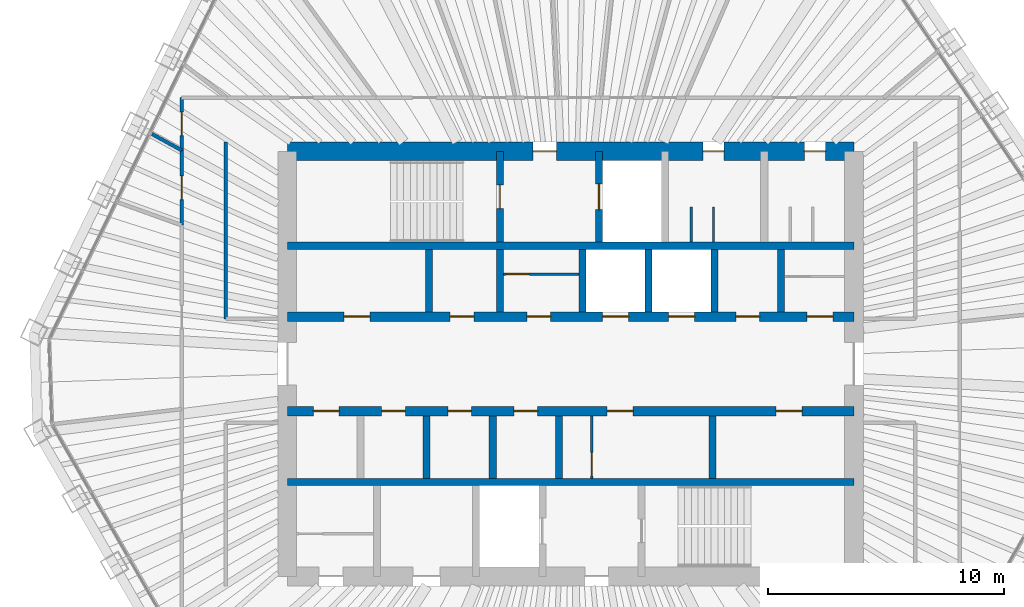
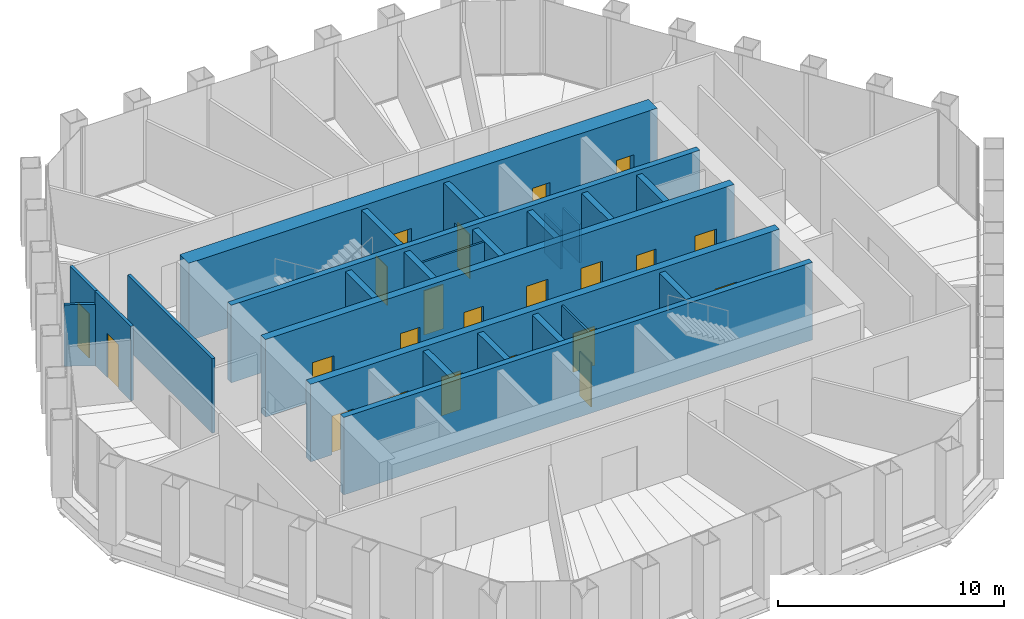
# One storey, part 12 of 15: 25 walls, 22 doors, 22 openings.
"""IFC4 building model written with IfcOpenShell, lengths in metres."""

from ifc_helpers import new_model, si_unit, direction, frame, frame_2d, origin, place, context, subcontext, project, spatial, rectangle, extrude, material, layer, layer_set, type_object, element, fill, save


model = new_model("IFC4")

# Units and contexts
model_context = context("Model", 3, precision=1e-05, world=origin(), true_north=direction((0.0, 1.0)))
body_context = subcontext(model_context, "Body", "Model", "MODEL_VIEW")
ifc_project = project(units=[si_unit("LENGTHUNIT", "METRE"), si_unit("AREAUNIT", "SQUARE_METRE"), si_unit("VOLUMEUNIT", "CUBIC_METRE"), si_unit("PLANEANGLEUNIT", "RADIAN"), si_unit("MASSUNIT", "GRAM", prefix="KILO")], contexts=[model_context])

# Site, building, storey
site_placement = place(None, origin())
site = spatial("IfcSite", under=ifc_project, at=site_placement, CompositionType="ELEMENT")
building_placement = place(site_placement, origin())
building = spatial("IfcBuilding", under=site, at=building_placement, Name="Qingtian Harvest Tower", CompositionType="ELEMENT")
storey_placement = place(building_placement, frame((0.0, 0.0, 312.39990234375)))
storey = spatial("IfcBuildingStorey", under=building, at=storey_placement, Name="L69", CompositionType="ELEMENT", Elevation=312.39990234375)

# Walls
ifc_material_1 = material(Name="Concrete fc' 70 MPa", Category="concrete")
ifc_layer_1 = layer(ifc_material_1, 0.300048828125)
ifc_layer_set_1 = layer_set([ifc_layer_1], Name="Core inner wall RC5 300")
wall_type_1 = type_object("IfcWallType", Name="Core inner wall RC5 300", PredefinedType="SHEAR", material=ifc_layer_set_1)
for number, where, z_axis, x_axis, name in (
    (1, (-12.0, 5.0, 0.0), (0.0, 0.0, 1.0), (1.0, 0.0, 0.0), "Core wall IN5 L69"),
    (2, (-12.0, -5.0, 0.0), (0.0, 0.0, 1.0), (1.0, 0.0, 0.0), "Core wall IS5 L69"),
):
    element("IfcWall", number, at=place(storey_placement, frame(where, z_axis=z_axis, x_axis=x_axis)), inside=storey, type_object=wall_type_1, Name=name, PredefinedType="SHEAR", context=body_context, shape_type="SweptSolid", body=[
        extrude(rectangle(XDim=24.0, YDim=0.300048828125, at=frame_2d((12.0, 0.0))), origin(), (0.0, 0.0, 1.0), 4.2001953125),
    ])

# Wall, openings, doors
ifc_material_2 = material(Name="Concrete fc' 70 MPa", Category="concrete")
ifc_layer_2 = layer(ifc_material_2, 0.39990234375)
ifc_layer_set_2 = layer_set([ifc_layer_2], Name="Core inner web RC6 400")
wall_type_2 = type_object("IfcWallType", Name="Core inner web RC6 400", PredefinedType="SHEAR", material=ifc_layer_set_2)
wall_1_placement = place(storey_placement, frame((-12.0, 2.0, 0.0), z_axis=(0.0, 0.0, 1.0), x_axis=(1.0, 0.0, 0.0)))
wall_1 = element("IfcWall", 3, at=wall_1_placement, inside=storey, type_object=wall_type_2, Name="Core wall IN2 L69", PredefinedType="SHEAR", context=body_context, shape_type="SweptSolid", body=[
    extrude(rectangle(XDim=24.0, YDim=0.39990234375, at=frame_2d((12.0, 0.0))), origin(), (0.0, 0.0, 1.0), 4.2001953125),
])
opening_1_placement = place(wall_1_placement, frame((2.39990234375, 0.0, 0.0)))
opening_1 = element("IfcOpeningElement", 4, at=opening_1_placement, cuts=wall_1, Name="Opening FD4", PredefinedType="OPENING", context=body_context, shape_type="SweptSolid", body=[
    extrude(rectangle(XDim=1.10009765625, YDim=2.10009765625, at=frame_2d((0.550048828125, 1.050048828125))), frame((0.0, 0.2099609375, 0.0), z_axis=(0.0, -1.0, 0.0), x_axis=(1.0, 0.0, 0.0)), (0.0, 0.0, 1.0), 0.419921875),
])
opening_2_placement = place(wall_1_placement, frame((22.0, 0.0, 0.0)))
opening_2 = element("IfcOpeningElement", 5, at=opening_2_placement, cuts=wall_1, Name="Opening FD4", PredefinedType="OPENING", context=body_context, shape_type="SweptSolid", body=[
    extrude(rectangle(XDim=1.10009765625, YDim=2.10009765625, at=frame_2d((0.550048828125, 1.050048828125))), frame((0.0, 0.2099609375, 0.0), z_axis=(0.0, -1.0, 0.0), x_axis=(1.0, 0.0, 0.0)), (0.0, 0.0, 1.0), 0.419921875),
])
opening_3_placement = place(wall_1_placement, frame((10.14990234375, 0.0, 0.0)))
opening_3 = element("IfcOpeningElement", 6, at=opening_3_placement, cuts=wall_1, Name="Opening FD1", PredefinedType="OPENING", context=body_context, shape_type="SweptSolid", body=[
    extrude(rectangle(XDim=1.0, YDim=2.10009765625, at=frame_2d((0.5, 1.050048828125))), frame((0.0, 0.2099609375, 0.0), z_axis=(0.0, -1.0, 0.0), x_axis=(1.0, 0.0, 0.0)), (0.0, 0.0, 1.0), 0.419921875),
])
opening_4_placement = place(wall_1_placement, frame((6.89990234375, 0.0, 0.0)))
opening_4 = element("IfcOpeningElement", 7, at=opening_4_placement, cuts=wall_1, Name="Opening FD1", PredefinedType="OPENING", context=body_context, shape_type="SweptSolid", body=[
    extrude(rectangle(XDim=1.0, YDim=2.10009765625, at=frame_2d((0.5, 1.050048828125))), frame((0.0, 0.2099609375, 0.0), z_axis=(0.0, -1.0, 0.0), x_axis=(1.0, 0.0, 0.0)), (0.0, 0.0, 1.0), 0.419921875),
])
opening_5_placement = place(wall_1_placement, frame((13.35009765625, 0.0, 0.0)))
opening_5 = element("IfcOpeningElement", 8, at=opening_5_placement, cuts=wall_1, Name="Opening LD1", PredefinedType="OPENING", context=body_context, shape_type="SweptSolid", body=[
    extrude(rectangle(XDim=1.10009765625, YDim=2.39990234375, at=frame_2d((0.550048828125, 1.199951171875))), frame((0.0, 0.2099609375, 0.0), z_axis=(0.0, -1.0, 0.0), x_axis=(1.0, 0.0, 0.0)), (0.0, 0.0, 1.0), 0.419921875),
])
opening_6_placement = place(wall_1_placement, frame((16.14990234375, 0.0, 0.0)))
opening_6 = element("IfcOpeningElement", 9, at=opening_6_placement, cuts=wall_1, Name="Opening LD1", PredefinedType="OPENING", context=body_context, shape_type="SweptSolid", body=[
    extrude(rectangle(XDim=1.10009765625, YDim=2.39990234375, at=frame_2d((0.550048828125, 1.199951171875))), frame((0.0, 0.2099609375, 0.0), z_axis=(0.0, -1.0, 0.0), x_axis=(1.0, 0.0, 0.0)), (0.0, 0.0, 1.0), 0.419921875),
])
opening_7_placement = place(wall_1_placement, frame((19.0, 0.0, 0.0)))
opening_7 = element("IfcOpeningElement", 10, at=opening_7_placement, cuts=wall_1, Name="Opening FD1", PredefinedType="OPENING", context=body_context, shape_type="SweptSolid", body=[
    extrude(rectangle(XDim=1.0, YDim=2.10009765625, at=frame_2d((0.5, 1.050048828125))), frame((0.0, 0.2099609375, 0.0), z_axis=(0.0, -1.0, 0.0), x_axis=(1.0, 0.0, 0.0)), (0.0, 0.0, 1.0), 0.419921875),
])
ifc_material_3 = material(Name="Steel-faced door leaf", Category="steel")
door_type_1 = type_object("IfcDoorType", Name="Fire door FD1 single 1 HR", OperationType="SINGLE_SWING_LEFT", PredefinedType="DOOR", material=ifc_material_3)
door_1_placement = place(opening_3_placement, origin())
door_1 = element("IfcDoor", 11, at=door_1_placement, inside=storey, type_object=door_type_1, Name="STA door L69", OperationType="SINGLE_SWING_LEFT", OverallHeight=2.10009765625, OverallWidth=1.0, PredefinedType="DOOR", context=body_context, shape_type="SweptSolid", body=[
    extrude(rectangle(XDim=1.0, YDim=2.10009765625, at=frame_2d((0.5, 1.050048828125))), frame((0.0, 0.02490234375, 0.0), z_axis=(0.0, -1.0, 0.0), x_axis=(1.0, 0.0, 0.0)), (0.0, 0.0, 1.0), 0.050048828125),
])
fill(opening_3, door_1)
door_2_placement = place(opening_4_placement, origin())
door_2 = element("IfcDoor", 12, at=door_2_placement, inside=storey, type_object=door_type_1, Name="Staff WC door L69", OperationType="SINGLE_SWING_LEFT", OverallHeight=2.10009765625, OverallWidth=1.0, PredefinedType="DOOR", context=body_context, shape_type="SweptSolid", body=[
    extrude(rectangle(XDim=1.0, YDim=2.10009765625, at=frame_2d((0.5, 1.050048828125))), frame((0.0, 0.02490234375, 0.0), z_axis=(0.0, -1.0, 0.0), x_axis=(1.0, 0.0, 0.0)), (0.0, 0.0, 1.0), 0.050048828125),
])
fill(opening_4, door_2)
door_3_placement = place(opening_7_placement, origin())
door_3 = element("IfcDoor", 13, at=door_3_placement, inside=storey, type_object=door_type_1, Name="Tool store door L69", OperationType="SINGLE_SWING_LEFT", OverallHeight=2.10009765625, OverallWidth=1.0, PredefinedType="DOOR", context=body_context, shape_type="SweptSolid", body=[
    extrude(rectangle(XDim=1.0, YDim=2.10009765625, at=frame_2d((0.5, 1.050048828125))), frame((0.0, 0.02490234375, 0.0), z_axis=(0.0, -1.0, 0.0), x_axis=(1.0, 0.0, 0.0)), (0.0, 0.0, 1.0), 0.050048828125),
])
fill(opening_7, door_3)
ifc_material_4 = material(Name="Steel-faced door leaf", Category="steel")
door_type_2 = type_object("IfcDoorType", Name="Fire door FD4 single 2 HR", OperationType="SINGLE_SWING_LEFT", PredefinedType="DOOR", material=ifc_material_4)
door_4_placement = place(opening_1_placement, origin())
door_4 = element("IfcDoor", 14, at=door_4_placement, inside=storey, type_object=door_type_2, Name="RA door L69", OperationType="SINGLE_SWING_RIGHT", OverallHeight=2.10009765625, OverallWidth=1.10009765625, PredefinedType="DOOR", context=body_context, shape_type="SweptSolid", body=[
    extrude(rectangle(XDim=1.10009765625, YDim=2.10009765625, at=frame_2d((0.550048828125, 1.050048828125))), frame((0.0, 0.02490234375, 0.0), z_axis=(0.0, -1.0, 0.0), x_axis=(1.0, 0.0, 0.0)), (0.0, 0.0, 1.0), 0.050048828125),
])
fill(opening_1, door_4)
door_5_placement = place(opening_2_placement, origin())
door_5 = element("IfcDoor", 15, at=door_5_placement, inside=storey, type_object=door_type_2, Name="AHU door L69", OperationType="SINGLE_SWING_RIGHT", OverallHeight=2.10009765625, OverallWidth=1.10009765625, PredefinedType="DOOR", context=body_context, shape_type="SweptSolid", body=[
    extrude(rectangle(XDim=1.10009765625, YDim=2.10009765625, at=frame_2d((0.550048828125, 1.050048828125))), frame((0.0, 0.02490234375, 0.0), z_axis=(0.0, -1.0, 0.0), x_axis=(1.0, 0.0, 0.0)), (0.0, 0.0, 1.0), 0.050048828125),
])
fill(opening_2, door_5)
ifc_material_5 = material(Name="Stainless steel lift landing door", Category="steel")
door_type_3 = type_object("IfcDoorType", Name="Lift landing door LD1 1 HR", OperationType="DOUBLE_DOOR_SLIDING", PredefinedType="DOOR", material=ifc_material_5)
door_6_placement = place(opening_5_placement, origin())
door_6 = element("IfcDoor", 16, at=door_6_placement, inside=storey, type_object=door_type_3, Name="PLD1 landing door L69", OperationType="DOUBLE_DOOR_SLIDING", OverallHeight=2.39990234375, OverallWidth=1.10009765625, PredefinedType="DOOR", context=body_context, shape_type="SweptSolid", body=[
    extrude(rectangle(XDim=1.10009765625, YDim=2.39990234375, at=frame_2d((0.550048828125, 1.199951171875))), frame((0.0, 0.02490234375, 0.0), z_axis=(0.0, -1.0, 0.0), x_axis=(1.0, 0.0, 0.0)), (0.0, 0.0, 1.0), 0.050048828125),
])
fill(opening_5, door_6)
door_7_placement = place(opening_6_placement, origin())
door_7 = element("IfcDoor", 17, at=door_7_placement, inside=storey, type_object=door_type_3, Name="PLD2 landing door L69", OperationType="DOUBLE_DOOR_SLIDING", OverallHeight=2.39990234375, OverallWidth=1.10009765625, PredefinedType="DOOR", context=body_context, shape_type="SweptSolid", body=[
    extrude(rectangle(XDim=1.10009765625, YDim=2.39990234375, at=frame_2d((0.550048828125, 1.199951171875))), frame((0.0, 0.02490234375, 0.0), z_axis=(0.0, -1.0, 0.0), x_axis=(1.0, 0.0, 0.0)), (0.0, 0.0, 1.0), 0.050048828125),
])
fill(opening_6, door_7)

wall_2_placement = place(storey_placement, frame((-12.0, -2.0, 0.0), z_axis=(0.0, 0.0, 1.0), x_axis=(1.0, 0.0, 0.0)))
wall_2 = element("IfcWall", 18, at=wall_2_placement, inside=storey, type_object=wall_type_2, Name="Core wall IS2 L69", PredefinedType="SHEAR", context=body_context, shape_type="SweptSolid", body=[
    extrude(rectangle(XDim=24.0, YDim=0.39990234375, at=frame_2d((12.0, 0.0))), origin(), (0.0, 0.0, 1.0), 4.2001953125),
])
opening_8_placement = place(wall_2_placement, frame((1.10009765625, 0.0, 0.0)))
opening_8 = element("IfcOpeningElement", 19, at=opening_8_placement, cuts=wall_2, Name="Opening FD4", PredefinedType="OPENING", context=body_context, shape_type="SweptSolid", body=[
    extrude(rectangle(XDim=1.10009765625, YDim=2.10009765625, at=frame_2d((0.550048828125, 1.050048828125))), frame((0.0, 0.2099609375, 0.0), z_axis=(0.0, -1.0, 0.0), x_axis=(1.0, 0.0, 0.0)), (0.0, 0.0, 1.0), 0.419921875),
])
opening_9_placement = place(wall_2_placement, frame((13.550048828125, 0.0, 0.0)))
opening_9 = element("IfcOpeningElement", 20, at=opening_9_placement, cuts=wall_2, Name="Opening FD4", PredefinedType="OPENING", context=body_context, shape_type="SweptSolid", body=[
    extrude(rectangle(XDim=1.10009765625, YDim=2.10009765625, at=frame_2d((0.550048828125, 1.050048828125))), frame((0.0, 0.2099609375, 0.0), z_axis=(0.0, -1.0, 0.0), x_axis=(1.0, 0.0, 0.0)), (0.0, 0.0, 1.0), 0.419921875),
])
opening_10_placement = place(wall_2_placement, frame((20.699951171875, 0.0, 0.0)))
opening_10 = element("IfcOpeningElement", 21, at=opening_10_placement, cuts=wall_2, Name="Opening FD4", PredefinedType="OPENING", context=body_context, shape_type="SweptSolid", body=[
    extrude(rectangle(XDim=1.10009765625, YDim=2.10009765625, at=frame_2d((0.550048828125, 1.050048828125))), frame((0.0, 0.2099609375, 0.0), z_axis=(0.0, -1.0, 0.0), x_axis=(1.0, 0.0, 0.0)), (0.0, 0.0, 1.0), 0.419921875),
])
opening_11_placement = place(wall_2_placement, frame((4.0, 0.0, 0.0)))
opening_11 = element("IfcOpeningElement", 22, at=opening_11_placement, cuts=wall_2, Name="Opening FD1", PredefinedType="OPENING", context=body_context, shape_type="SweptSolid", body=[
    extrude(rectangle(XDim=1.0, YDim=2.10009765625, at=frame_2d((0.5, 1.050048828125))), frame((0.0, 0.2099609375, 0.0), z_axis=(0.0, -1.0, 0.0), x_axis=(1.0, 0.0, 0.0)), (0.0, 0.0, 1.0), 0.419921875),
])
opening_12_placement = place(wall_2_placement, frame((6.800048828125, 0.0, 0.0)))
opening_12 = element("IfcOpeningElement", 23, at=opening_12_placement, cuts=wall_2, Name="Opening FD1", PredefinedType="OPENING", context=body_context, shape_type="SweptSolid", body=[
    extrude(rectangle(XDim=1.0, YDim=2.10009765625, at=frame_2d((0.5, 1.050048828125))), frame((0.0, 0.2099609375, 0.0), z_axis=(0.0, -1.0, 0.0), x_axis=(1.0, 0.0, 0.0)), (0.0, 0.0, 1.0), 0.419921875),
])
opening_13_placement = place(wall_2_placement, frame((9.60009765625, 0.0, 0.0)))
opening_13 = element("IfcOpeningElement", 24, at=opening_13_placement, cuts=wall_2, Name="Opening FD1", PredefinedType="OPENING", context=body_context, shape_type="SweptSolid", body=[
    extrude(rectangle(XDim=1.0, YDim=2.10009765625, at=frame_2d((0.5, 1.050048828125))), frame((0.0, 0.2099609375, 0.0), z_axis=(0.0, -1.0, 0.0), x_axis=(1.0, 0.0, 0.0)), (0.0, 0.0, 1.0), 0.419921875),
])
door_8_placement = place(opening_11_placement, origin())
door_8 = element("IfcDoor", 25, at=door_8_placement, inside=storey, type_object=door_type_1, Name="Store door L69", OperationType="SINGLE_SWING_LEFT", OverallHeight=2.10009765625, OverallWidth=1.0, PredefinedType="DOOR", context=body_context, shape_type="SweptSolid", body=[
    extrude(rectangle(XDim=1.0, YDim=2.10009765625, at=frame_2d((0.5, 1.050048828125))), frame((0.0, 0.02490234375, 0.0), z_axis=(0.0, -1.0, 0.0), x_axis=(1.0, 0.0, 0.0)), (0.0, 0.0, 1.0), 0.050048828125),
])
fill(opening_11, door_8)
door_9_placement = place(opening_12_placement, origin())
door_9 = element("IfcDoor", 26, at=door_9_placement, inside=storey, type_object=door_type_1, Name="Linen store door L69", OperationType="SINGLE_SWING_LEFT", OverallHeight=2.10009765625, OverallWidth=1.0, PredefinedType="DOOR", context=body_context, shape_type="SweptSolid", body=[
    extrude(rectangle(XDim=1.0, YDim=2.10009765625, at=frame_2d((0.5, 1.050048828125))), frame((0.0, 0.02490234375, 0.0), z_axis=(0.0, -1.0, 0.0), x_axis=(1.0, 0.0, 0.0)), (0.0, 0.0, 1.0), 0.050048828125),
])
fill(opening_12, door_9)
door_10_placement = place(opening_13_placement, origin())
door_10 = element("IfcDoor", 27, at=door_10_placement, inside=storey, type_object=door_type_1, Name="Pantry door L69", OperationType="SINGLE_SWING_LEFT", OverallHeight=2.10009765625, OverallWidth=1.0, PredefinedType="DOOR", context=body_context, shape_type="SweptSolid", body=[
    extrude(rectangle(XDim=1.0, YDim=2.10009765625, at=frame_2d((0.5, 1.050048828125))), frame((0.0, 0.02490234375, 0.0), z_axis=(0.0, -1.0, 0.0), x_axis=(1.0, 0.0, 0.0)), (0.0, 0.0, 1.0), 0.050048828125),
])
fill(opening_13, door_10)
door_11_placement = place(opening_8_placement, origin())
door_11 = element("IfcDoor", 28, at=door_11_placement, inside=storey, type_object=door_type_2, Name="RB door L69", OperationType="SINGLE_SWING_RIGHT", OverallHeight=2.10009765625, OverallWidth=1.10009765625, PredefinedType="DOOR", context=body_context, shape_type="SweptSolid", body=[
    extrude(rectangle(XDim=1.10009765625, YDim=2.10009765625, at=frame_2d((0.550048828125, 1.050048828125))), frame((0.0, 0.02490234375, 0.0), z_axis=(0.0, -1.0, 0.0), x_axis=(1.0, 0.0, 0.0)), (0.0, 0.0, 1.0), 0.050048828125),
])
fill(opening_8, door_11)
door_12_placement = place(opening_9_placement, origin())
door_12 = element("IfcDoor", 29, at=door_12_placement, inside=storey, type_object=door_type_2, Name="ELEC door L69", OperationType="SINGLE_SWING_LEFT", OverallHeight=2.10009765625, OverallWidth=1.10009765625, PredefinedType="DOOR", context=body_context, shape_type="SweptSolid", body=[
    extrude(rectangle(XDim=1.10009765625, YDim=2.10009765625, at=frame_2d((0.550048828125, 1.050048828125))), frame((0.0, 0.02490234375, 0.0), z_axis=(0.0, -1.0, 0.0), x_axis=(1.0, 0.0, 0.0)), (0.0, 0.0, 1.0), 0.050048828125),
])
fill(opening_9, door_12)
door_13_placement = place(opening_10_placement, origin())
door_13 = element("IfcDoor", 30, at=door_13_placement, inside=storey, type_object=door_type_2, Name="DUCT door L69", OperationType="SINGLE_SWING_RIGHT", OverallHeight=2.10009765625, OverallWidth=1.10009765625, PredefinedType="DOOR", context=body_context, shape_type="SweptSolid", body=[
    extrude(rectangle(XDim=1.10009765625, YDim=2.10009765625, at=frame_2d((0.550048828125, 1.050048828125))), frame((0.0, 0.02490234375, 0.0), z_axis=(0.0, -1.0, 0.0), x_axis=(1.0, 0.0, 0.0)), (0.0, 0.0, 1.0), 0.050048828125),
])
fill(opening_10, door_13)

# Wall, opening, door
ifc_material_6 = material(Name="Precast concrete shaft panel", Category="concrete")
ifc_layer_3 = layer(ifc_material_6, 0.300048828125)
ifc_layer_set_3 = layer_set([ifc_layer_3], Name="Core shaft partition SW1 300")
wall_type_3 = type_object("IfcWallType", Name="Core shaft partition SW1 300", PredefinedType="PARTITIONING", material=ifc_layer_set_3)
wall_3_placement = place(storey_placement, frame((-3.0, 5.14990234375, 0.0), z_axis=(0.0, 0.0, 1.0), x_axis=(0.0, 1.0, 0.0)))
wall_3 = element("IfcWall", 31, at=wall_3_placement, inside=storey, type_object=wall_type_3, Name="Core shaft partition XN1 L69", PredefinedType="PARTITIONING", context=body_context, shape_type="SweptSolid", body=[
    extrude(rectangle(XDim=3.85009765625, YDim=0.300048828125, at=frame_2d((1.925048828125, 0.0))), origin(), (0.0, 0.0, 1.0), 3.97998046875),
])
opening_14_placement = place(wall_3_placement, frame((1.425048828125, 0.0, 0.0)))
opening_14 = element("IfcOpeningElement", 32, at=opening_14_placement, cuts=wall_3, Name="Opening FD1", PredefinedType="OPENING", context=body_context, shape_type="SweptSolid", body=[
    extrude(rectangle(XDim=1.0, YDim=2.10009765625, at=frame_2d((0.5, 1.050048828125))), frame((0.0, 0.159912109375, 0.0), z_axis=(0.0, -1.0, 0.0), x_axis=(1.0, 0.0, 0.0)), (0.0, 0.0, 1.0), 0.320068359375),
])
door_14_placement = place(opening_14_placement, origin())
door_14 = element("IfcDoor", 33, at=door_14_placement, inside=storey, type_object=door_type_1, Name="S1 door L69", OperationType="SINGLE_SWING_LEFT", OverallHeight=2.10009765625, OverallWidth=1.0, PredefinedType="DOOR", context=body_context, shape_type="SweptSolid", body=[
    extrude(rectangle(XDim=1.0, YDim=2.10009765625, at=frame_2d((0.5, 1.050048828125))), frame((0.0, 0.02490234375, 0.0), z_axis=(0.0, -1.0, 0.0), x_axis=(1.0, 0.0, 0.0)), (0.0, 0.0, 1.0), 0.050048828125),
])
fill(opening_14, door_14)

wall_4_placement = place(storey_placement, frame((1.199951171875, 5.14990234375, 0.0), z_axis=(0.0, 0.0, 1.0), x_axis=(0.0, 1.0, 0.0)))
wall_4 = element("IfcWall", 34, at=wall_4_placement, inside=storey, type_object=wall_type_3, Name="Core shaft partition XN2 L69", PredefinedType="PARTITIONING", context=body_context, shape_type="SweptSolid", body=[
    extrude(rectangle(XDim=3.85009765625, YDim=0.300048828125, at=frame_2d((1.925048828125, 0.0))), origin(), (0.0, 0.0, 1.0), 3.97998046875),
])
opening_15_placement = place(wall_4_placement, frame((1.375, 0.0, 0.0)))
opening_15 = element("IfcOpeningElement", 35, at=opening_15_placement, cuts=wall_4, Name="Opening LD1", PredefinedType="OPENING", context=body_context, shape_type="SweptSolid", body=[
    extrude(rectangle(XDim=1.10009765625, YDim=2.39990234375, at=frame_2d((0.550048828125, 1.199951171875))), frame((0.0, 0.159912109375, 0.0), z_axis=(0.0, -1.0, 0.0), x_axis=(1.0, 0.0, 0.0)), (0.0, 0.0, 1.0), 0.320068359375),
])
door_15_placement = place(opening_15_placement, origin())
door_15 = element("IfcDoor", 36, at=door_15_placement, inside=storey, type_object=door_type_3, Name="FL1 landing door L69", OperationType="DOUBLE_DOOR_SLIDING", OverallHeight=2.39990234375, OverallWidth=1.10009765625, PredefinedType="DOOR", context=body_context, shape_type="SweptSolid", body=[
    extrude(rectangle(XDim=1.10009765625, YDim=2.39990234375, at=frame_2d((0.550048828125, 1.199951171875))), frame((0.0, 0.02490234375, 0.0), z_axis=(0.0, -1.0, 0.0), x_axis=(1.0, 0.0, 0.0)), (0.0, 0.0, 1.0), 0.050048828125),
])
fill(opening_15, door_15)

# Walls
for number, where, z_axis, x_axis, name in (
    (37, (-6.0, 2.199951171875, 0.0), (0.0, 0.0, 1.0), (0.0, 1.0, 0.0), "Core shaft partition XA1 L69"),
    (38, (-3.0, 2.199951171875, 0.0), (0.0, 0.0, 1.0), (0.0, 1.0, 0.0), "Core shaft partition XA2 L69"),
    (39, (0.5, 2.199951171875, 0.0), (0.0, 0.0, 1.0), (0.0, 1.0, 0.0), "Core shaft partition XA3 L69"),
    (40, (3.300048828125, 2.199951171875, 0.0), (0.0, 0.0, 1.0), (0.0, 1.0, 0.0), "Core shaft partition XA4 L69"),
    (41, (6.10009765625, 2.199951171875, 0.0), (0.0, 0.0, 1.0), (0.0, 1.0, 0.0), "Core shaft partition XA5 L69"),
    (42, (8.89990234375, 2.199951171875, 0.0), (0.0, 0.0, 1.0), (0.0, 1.0, 0.0), "Core shaft partition XA6 L69"),
    (43, (-6.10009765625, -4.85009765625, 0.0), (0.0, 0.0, 1.0), (0.0, 1.0, 0.0), "Core shaft partition XB2 L69"),
    (44, (-3.300048828125, -4.85009765625, 0.0), (0.0, 0.0, 1.0), (0.0, 1.0, 0.0), "Core shaft partition XB3 L69"),
    (45, (-0.5, -4.85009765625, 0.0), (0.0, 0.0, 1.0), (0.0, 1.0, 0.0), "Core shaft partition XB4 L69"),
    (46, (6.0, -4.85009765625, 0.0), (0.0, 0.0, 1.0), (0.0, 1.0, 0.0), "Core shaft partition XB5 L69"),
):
    element("IfcWall", number, at=place(storey_placement, frame(where, z_axis=z_axis, x_axis=x_axis)), inside=storey, type_object=wall_type_3, Name=name, PredefinedType="PARTITIONING", context=body_context, shape_type="SweptSolid", body=[
        extrude(rectangle(XDim=2.650146484375, YDim=0.300048828125, at=frame_2d((1.3251953125, 0.0))), origin(), (0.0, 0.0, 1.0), 3.97998046875),
    ])

# Wall, openings, doors
ifc_material_7 = material(Name="Concrete fc' 70 MPa", Category="concrete")
ifc_layer_4 = layer(ifc_material_7, 0.800048828125)
ifc_layer_set_4 = layer_set([ifc_layer_4], Name="Core wall RC4 800")
wall_type_4 = type_object("IfcWallType", Name="Core wall RC4 800", PredefinedType="SHEAR", material=ifc_layer_set_4)
wall_5_placement = place(storey_placement, frame((-12.0, 9.0, 0.0), z_axis=(0.0, 0.0, 1.0), x_axis=(1.0, 0.0, 0.0)))
wall_5 = element("IfcWall", 47, at=wall_5_placement, inside=storey, type_object=wall_type_4, Name="Core wall CN L69", PredefinedType="SHEAR", context=body_context, shape_type="SweptSolid", body=[
    extrude(rectangle(XDim=24.0, YDim=0.800048828125, at=frame_2d((12.0, 0.0))), origin(), (0.0, 0.0, 1.0), 4.2001953125),
])
opening_16_placement = place(wall_5_placement, frame((10.39990234375, 0.0, 0.0)))
opening_16 = element("IfcOpeningElement", 48, at=opening_16_placement, cuts=wall_5, Name="Opening FD1", PredefinedType="OPENING", context=body_context, shape_type="SweptSolid", body=[
    extrude(rectangle(XDim=1.0, YDim=2.10009765625, at=frame_2d((0.5, 1.050048828125))), frame((0.0, 0.409912109375, 0.0), z_axis=(0.0, -1.0, 0.0), x_axis=(1.0, 0.0, 0.0)), (0.0, 0.0, 1.0), 0.820068359375),
])
opening_17_placement = place(wall_5_placement, frame((17.60009765625, 0.0, 0.0)))
opening_17 = element("IfcOpeningElement", 49, at=opening_17_placement, cuts=wall_5, Name="Opening D1", PredefinedType="OPENING", context=body_context, shape_type="SweptSolid", body=[
    extrude(rectangle(XDim=0.89990234375, YDim=2.10009765625, at=frame_2d((0.449951171875, 1.050048828125))), frame((0.0, 0.409912109375, 0.0), z_axis=(0.0, -1.0, 0.0), x_axis=(1.0, 0.0, 0.0)), (0.0, 0.0, 1.0), 0.820068359375),
])
opening_18_placement = place(wall_5_placement, frame((21.89990234375, 0.0, 0.0)))
opening_18 = element("IfcOpeningElement", 50, at=opening_18_placement, cuts=wall_5, Name="Opening D1", PredefinedType="OPENING", context=body_context, shape_type="SweptSolid", body=[
    extrude(rectangle(XDim=0.89990234375, YDim=2.10009765625, at=frame_2d((0.449951171875, 1.050048828125))), frame((0.0, 0.409912109375, 0.0), z_axis=(0.0, -1.0, 0.0), x_axis=(1.0, 0.0, 0.0)), (0.0, 0.0, 1.0), 0.820068359375),
])
door_16_placement = place(opening_16_placement, origin())
door_16 = element("IfcDoor", 51, at=door_16_placement, inside=storey, type_object=door_type_1, Name="V1 door L69", OperationType="SINGLE_SWING_RIGHT", OverallHeight=2.10009765625, OverallWidth=1.0, PredefinedType="DOOR", context=body_context, shape_type="SweptSolid", body=[
    extrude(rectangle(XDim=1.0, YDim=2.10009765625, at=frame_2d((0.5, 1.050048828125))), frame((0.0, 0.02490234375, 0.0), z_axis=(0.0, -1.0, 0.0), x_axis=(1.0, 0.0, 0.0)), (0.0, 0.0, 1.0), 0.050048828125),
])
fill(opening_16, door_16)
ifc_material_8 = material(Name="Laminated timber door leaf", Category="wood")
door_type_4 = type_object("IfcDoorType", Name="Toilet door D1 single", OperationType="SINGLE_SWING_LEFT", PredefinedType="DOOR", material=ifc_material_8)
door_17_placement = place(opening_17_placement, origin())
door_17 = element("IfcDoor", 52, at=door_17_placement, inside=storey, type_object=door_type_4, Name="WCM door L69", OperationType="SINGLE_SWING_LEFT", OverallHeight=2.10009765625, OverallWidth=0.89990234375, PredefinedType="DOOR", context=body_context, shape_type="SweptSolid", body=[
    extrude(rectangle(XDim=0.89990234375, YDim=2.10009765625, at=frame_2d((0.449951171875, 1.050048828125))), frame((0.0, 0.02490234375, 0.0), z_axis=(0.0, -1.0, 0.0), x_axis=(1.0, 0.0, 0.0)), (0.0, 0.0, 1.0), 0.050048828125),
])
fill(opening_17, door_17)
door_18_placement = place(opening_18_placement, origin())
door_18 = element("IfcDoor", 53, at=door_18_placement, inside=storey, type_object=door_type_4, Name="WCF door L69", OperationType="SINGLE_SWING_LEFT", OverallHeight=2.10009765625, OverallWidth=0.89990234375, PredefinedType="DOOR", context=body_context, shape_type="SweptSolid", body=[
    extrude(rectangle(XDim=0.89990234375, YDim=2.10009765625, at=frame_2d((0.449951171875, 1.050048828125))), frame((0.0, 0.02490234375, 0.0), z_axis=(0.0, -1.0, 0.0), x_axis=(1.0, 0.0, 0.0)), (0.0, 0.0, 1.0), 0.050048828125),
])
fill(opening_18, door_18)

# Wall, opening, door
ifc_material_9 = material(Name="Gypsum board on steel studs", Category="steel")
ifc_layer_5 = layer(ifc_material_9, 0.14990234375)
ifc_layer_set_5 = layer_set([ifc_layer_5], Name="Partition PT1 150")
wall_type_5 = type_object("IfcWallType", Name="Partition PT1 150", PredefinedType="PARTITIONING", material=ifc_layer_set_5)
wall_6_placement = place(storey_placement, frame((-16.47509765625, 5.873046875, 0.0), z_axis=(0.0, 0.0, 1.0), x_axis=(0.0, 1.0, 0.0)))
wall_6 = element("IfcWall", 54, at=wall_6_placement, inside=storey, type_object=wall_type_5, Name="Focus room wall L69", PredefinedType="PARTITIONING", context=body_context, shape_type="SweptSolid", body=[
    extrude(rectangle(XDim=3.168701171875, YDim=0.14990234375, at=frame_2d((1.58447265625, 0.0))), origin(), (0.0, 0.0, 1.0), 4.030029296875),
])
opening_19_placement = place(wall_6_placement, frame((1.08447265625, 0.0, 0.0)))
opening_19 = element("IfcOpeningElement", 55, at=opening_19_placement, cuts=wall_6, Name="Opening D2", PredefinedType="OPENING", context=body_context, shape_type="SweptSolid", body=[
    extrude(rectangle(XDim=1.0, YDim=2.39990234375, at=frame_2d((0.5, 1.199951171875))), frame((0.0, 0.0849609375, 0.0), z_axis=(0.0, -1.0, 0.0), x_axis=(1.0, 0.0, 0.0)), (0.0, 0.0, 1.0), 0.169921875),
])
ifc_material_10 = material(Name="Laminated timber door leaf", Category="wood")
door_type_5 = type_object("IfcDoorType", Name="Room door D2 single", OperationType="SINGLE_SWING_LEFT", PredefinedType="DOOR", material=ifc_material_10)
door_19_placement = place(opening_19_placement, origin())
door_19 = element("IfcDoor", 56, at=door_19_placement, inside=storey, type_object=door_type_5, Name="Focus room door L69", OperationType="SINGLE_SWING_LEFT", OverallHeight=2.39990234375, OverallWidth=1.0, PredefinedType="DOOR", context=body_context, shape_type="SweptSolid", body=[
    extrude(rectangle(XDim=1.0, YDim=2.39990234375, at=frame_2d((0.5, 1.199951171875))), frame((0.0, 0.02490234375, 0.0), z_axis=(0.0, -1.0, 0.0), x_axis=(1.0, 0.0, 0.0)), (0.0, 0.0, 1.0), 0.050048828125),
])
fill(opening_19, door_19)

# Wall
wall_7_placement = place(storey_placement, frame((-17.72900390625, 9.72998046875, 0.0), z_axis=(0.0, 0.0, 1.0), x_axis=(0.876633607687, -0.481158516369, 0.0)))
element("IfcWall", 57, at=wall_7_placement, inside=storey, type_object=wall_type_5, Name="Store room wall L69", PredefinedType="PARTITIONING", context=body_context, shape_type="SweptSolid", body=[
    extrude(rectangle(XDim=1.430419921875, YDim=0.14990234375, at=frame_2d((0.71533203125, 0.0))), origin(), (0.0, 0.0, 1.0), 3.330078125),
])

# Wall, opening, door
wall_8_placement = place(storey_placement, frame((-16.47509765625, 9.041748046875, 0.0), z_axis=(0.0, 0.0, 1.0), x_axis=(0.0, 1.0, 0.0)))
wall_8 = element("IfcWall", 58, at=wall_8_placement, inside=storey, type_object=wall_type_5, Name="Store room wall L69", PredefinedType="PARTITIONING", context=body_context, shape_type="SweptSolid", body=[
    extrude(rectangle(XDim=2.233154296875, YDim=0.14990234375, at=frame_2d((1.11669921875, 0.0))), origin(), (0.0, 0.0, 1.0), 4.030029296875),
])
opening_20_placement = place(wall_8_placement, frame((0.61669921875, 0.0, 0.0)))
opening_20 = element("IfcOpeningElement", 59, at=opening_20_placement, cuts=wall_8, Name="Opening D2", PredefinedType="OPENING", context=body_context, shape_type="SweptSolid", body=[
    extrude(rectangle(XDim=1.0, YDim=2.39990234375, at=frame_2d((0.5, 1.199951171875))), frame((0.0, 0.0849609375, 0.0), z_axis=(0.0, -1.0, 0.0), x_axis=(1.0, 0.0, 0.0)), (0.0, 0.0, 1.0), 0.169921875),
])
door_20_placement = place(opening_20_placement, origin())
door_20 = element("IfcDoor", 60, at=door_20_placement, inside=storey, type_object=door_type_5, Name="Store room door L69", OperationType="SINGLE_SWING_LEFT", OverallHeight=2.39990234375, OverallWidth=1.0, PredefinedType="DOOR", context=body_context, shape_type="SweptSolid", body=[
    extrude(rectangle(XDim=1.0, YDim=2.39990234375, at=frame_2d((0.5, 1.199951171875))), frame((0.0, 0.02490234375, 0.0), z_axis=(0.0, -1.0, 0.0), x_axis=(1.0, 0.0, 0.0)), (0.0, 0.0, 1.0), 0.050048828125),
])
fill(opening_20, door_20)

# Wall
wall_9_placement = place(storey_placement, frame((-14.60009765625, 1.89990234375, 0.0), z_axis=(0.0, 0.0, 1.0), x_axis=(0.0, 1.0, 0.0)))
element("IfcWall", 61, at=wall_9_placement, inside=storey, type_object=wall_type_5, Name="Breakout space wall L69", PredefinedType="PARTITIONING", context=body_context, shape_type="SweptSolid", body=[
    extrude(rectangle(XDim=7.5, YDim=0.14990234375, at=frame_2d((3.75, 0.0))), origin(), (0.0, 0.0, 1.0), 4.030029296875),
])

# Wall, opening, door
ifc_material_11 = material(Name="Concrete block partition", Category="concrete")
ifc_layer_6 = layer(ifc_material_11, 0.10009765625)
ifc_layer_set_6 = layer_set([ifc_layer_6], Name="Store partition PT3 100")
wall_type_6 = type_object("IfcWallType", Name="Store partition PT3 100", PredefinedType="PARTITIONING", material=ifc_layer_set_6)
wall_10_placement = place(storey_placement, frame((-2.85009765625, 3.800048828125, 0.0), z_axis=(0.0, 0.0, 1.0), x_axis=(1.0, 0.0, 0.0)))
wall_10 = element("IfcWall", 62, at=wall_10_placement, inside=storey, type_object=wall_type_6, Name="Archive store wall L69", PredefinedType="PARTITIONING", context=body_context, shape_type="SweptSolid", body=[
    extrude(rectangle(XDim=3.2001953125, YDim=0.10009765625, at=frame_2d((1.60009765625, 0.0))), origin(), (0.0, 0.0, 1.0), 3.97998046875),
])
opening_21_placement = place(wall_10_placement, frame((0.10009765625, 0.0, 0.0)))
opening_21 = element("IfcOpeningElement", 63, at=opening_21_placement, cuts=wall_10, Name="Opening D2", PredefinedType="OPENING", context=body_context, shape_type="SweptSolid", body=[
    extrude(rectangle(XDim=1.0, YDim=2.39990234375, at=frame_2d((0.5, 1.199951171875))), frame((0.0, 0.06005859375, 0.0), z_axis=(0.0, -1.0, 0.0), x_axis=(1.0, 0.0, 0.0)), (0.0, 0.0, 1.0), 0.1201171875),
])
door_21_placement = place(opening_21_placement, origin())
door_21 = element("IfcDoor", 64, at=door_21_placement, inside=storey, type_object=door_type_5, Name="Archive store door L69", OperationType="SINGLE_SWING_LEFT", OverallHeight=2.39990234375, OverallWidth=1.0, PredefinedType="DOOR", context=body_context, shape_type="SweptSolid", body=[
    extrude(rectangle(XDim=1.0, YDim=2.39990234375, at=frame_2d((0.5, 1.199951171875))), frame((0.0, 0.02490234375, 0.0), z_axis=(0.0, -1.0, 0.0), x_axis=(1.0, 0.0, 0.0)), (0.0, 0.0, 1.0), 0.050048828125),
])
fill(opening_21, door_21)

wall_11_placement = place(storey_placement, frame((0.89990234375, -4.85009765625, 0.0), z_axis=(0.0, 0.0, 1.0), x_axis=(0.0, 1.0, 0.0)))
wall_11 = element("IfcWall", 65, at=wall_11_placement, inside=storey, type_object=wall_type_6, Name="Comms room wall L69", PredefinedType="PARTITIONING", context=body_context, shape_type="SweptSolid", body=[
    extrude(rectangle(XDim=2.650146484375, YDim=0.10009765625, at=frame_2d((1.3251953125, 0.0))), origin(), (0.0, 0.0, 1.0), 3.97998046875),
])
opening_22_placement = place(wall_11_placement, frame((0.10009765625, 0.0, 0.0)))
opening_22 = element("IfcOpeningElement", 66, at=opening_22_placement, cuts=wall_11, Name="Opening D2", PredefinedType="OPENING", context=body_context, shape_type="SweptSolid", body=[
    extrude(rectangle(XDim=1.0, YDim=2.39990234375, at=frame_2d((0.5, 1.199951171875))), frame((0.0, 0.06005859375, 0.0), z_axis=(0.0, -1.0, 0.0), x_axis=(1.0, 0.0, 0.0)), (0.0, 0.0, 1.0), 0.1201171875),
])
door_22_placement = place(opening_22_placement, origin())
door_22 = element("IfcDoor", 67, at=door_22_placement, inside=storey, type_object=door_type_5, Name="Comms room door L69", OperationType="SINGLE_SWING_RIGHT", OverallHeight=2.39990234375, OverallWidth=1.0, PredefinedType="DOOR", context=body_context, shape_type="SweptSolid", body=[
    extrude(rectangle(XDim=1.0, YDim=2.39990234375, at=frame_2d((0.5, 1.199951171875))), frame((0.0, 0.02490234375, 0.0), z_axis=(0.0, -1.0, 0.0), x_axis=(1.0, 0.0, 0.0)), (0.0, 0.0, 1.0), 0.050048828125),
])
fill(opening_22, door_22)

# Walls
ifc_material_12 = material(Name="Compact laminate cubicle partition", Category="plastic")
ifc_layer_7 = layer(ifc_material_12, 0.10009765625)
ifc_layer_set_7 = layer_set([ifc_layer_7], Name="WC cubicle partition WP1 100")
wall_type_7 = type_object("IfcWallType", Name="WC cubicle partition WP1 100", PredefinedType="PARTITIONING", material=ifc_layer_set_7)
for number, where, z_axis, x_axis, name in (
    (68, (5.10009765625, 5.14990234375, 0.0), (0.0, 0.0, 1.0), (0.0, 1.0, 0.0), "WC cubicle partition WCM L69"),
    (69, (6.050048828125, 5.14990234375, 0.0), (0.0, 0.0, 1.0), (0.0, 1.0, 0.0), "WC cubicle partition WCM L69"),
):
    element("IfcWall", number, at=place(storey_placement, frame(where, z_axis=z_axis, x_axis=x_axis)), inside=storey, type_object=wall_type_7, Name=name, PredefinedType="PARTITIONING", context=body_context, shape_type="SweptSolid", body=[
        extrude(rectangle(XDim=1.5, YDim=0.10009765625, at=frame_2d((0.75, 0.0))), origin(), (0.0, 0.0, 1.0), 2.10009765625),
    ])

save(model, "model.ifc")
